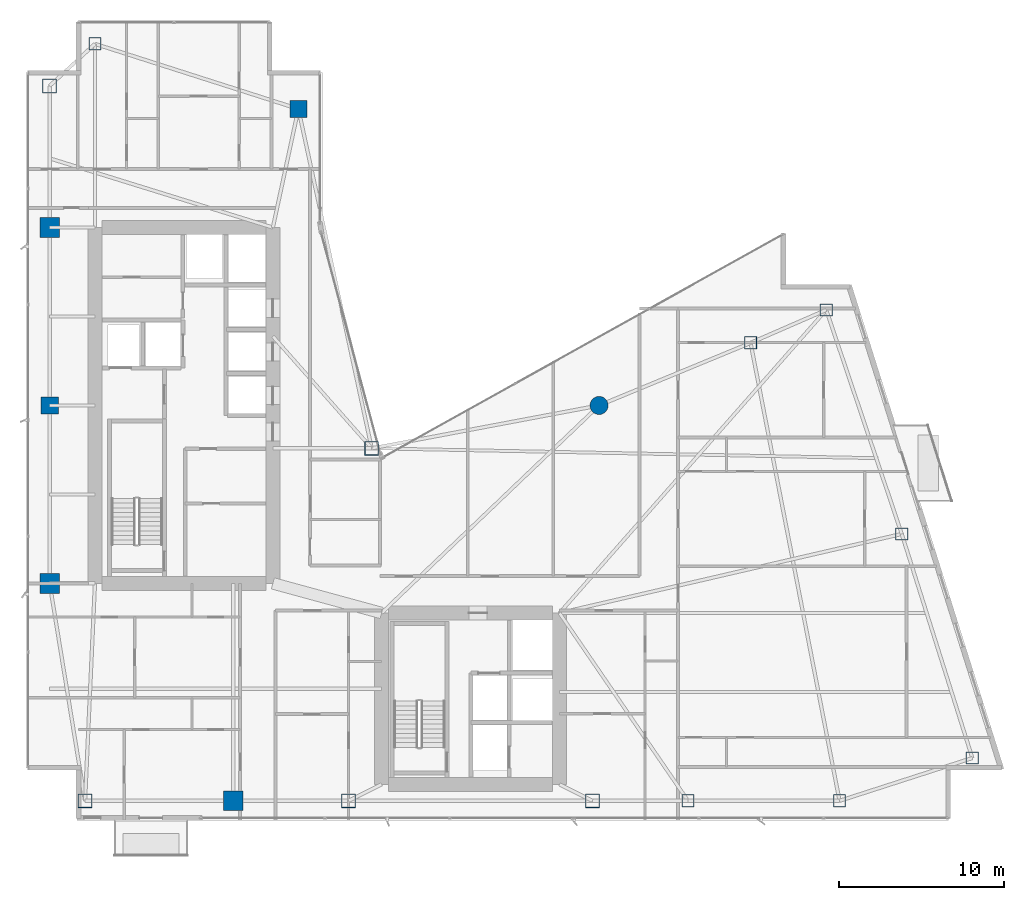
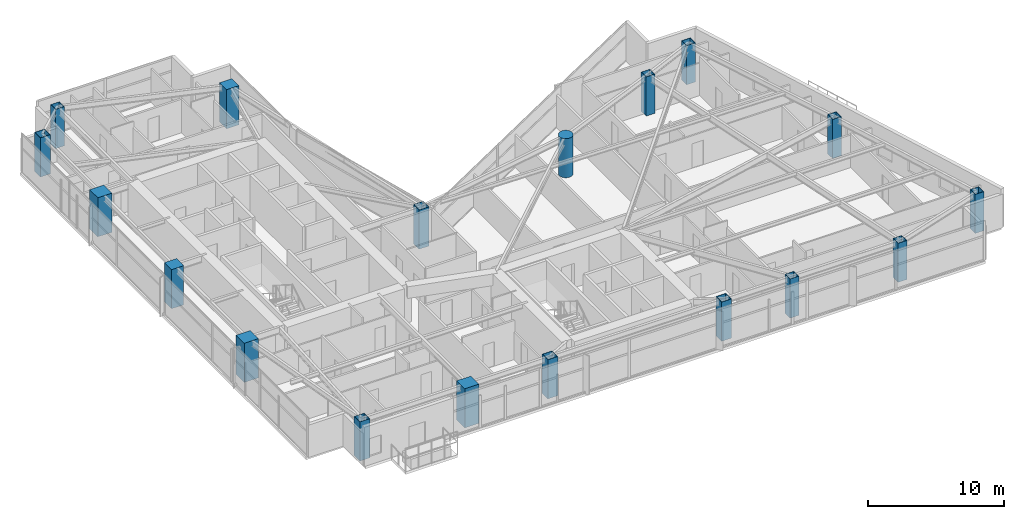
# One storey, part 1 of 28: 18 columns.
"""IFC4 building model written with IfcOpenShell, lengths in metres."""

import ifcopenshell
import ifcopenshell.guid

model = None  # the IFC model being written
_history = None  # IfcOwnerHistory: only IFC2X3 demands one
_inside = {}  # id of a spatial element -> (the spatial element, [elements in it])
_under = {}  # id of a project, library or spatial element -> (it, [spatial elements below it])
_declared = {}  # id of a project -> (the project, [libraries it declares])
_typed = {}  # id of a type object -> (the type object, [elements of that type])
_made_of = {}  # id of a material, layer set ... -> (it, [elements and type objects made of it])


def new_model(schema):
    """Start an empty IFC model of exactly this schema.

    Asked for "IFC4X3", IfcOpenShell would pick the latest addendum, in which some entities
    have other attributes; the version numbers below select the first issue.
    IFC2X3 requires an IfcOwnerHistory on every rooted entity: one is made here for all.
    """
    global model, _history
    if schema == "IFC4X3":
        model = ifcopenshell.file(schema_version=(4, 3, 0, 0))
    else:
        model = ifcopenshell.file(schema=schema)
    _inside.clear()
    _under.clear()
    _declared.clear()
    _typed.clear()
    _made_of.clear()
    _history = None
    if model.schema == "IFC2X3":
        org = make("IfcOrganization", Name="unknown")
        user = make(
            "IfcPersonAndOrganization",
            ThePerson=make("IfcPerson", FamilyName="unknown"),
            TheOrganization=org,
        )
        app = make(
            "IfcApplication",
            ApplicationDeveloper=org,
            Version="unknown",
            ApplicationFullName="unknown",
            ApplicationIdentifier="unknown",
        )
        _history = make(
            "IfcOwnerHistory",
            OwningUser=user,
            OwningApplication=app,
            ChangeAction="ADDED",
            CreationDate=0,
        )
    return model


def make(cls, **values):
    """One entity of the class cls with the attributes given. An attribute that is None is left unset."""
    return model.create_entity(
        cls, **{name: value for name, value in values.items() if value is not None}
    )


def rooted(cls, **values):
    """An entity with a GlobalId (a new one), such as an element, a storey or a relation."""
    return make(cls, GlobalId=ifcopenshell.guid.new(), OwnerHistory=_history, **values)


def si_unit(unit_type, name, prefix=None):
    """IfcSIUnit, for example si_unit("LENGTHUNIT", "METRE", prefix="MILLI")."""
    return make("IfcSIUnit", UnitType=unit_type, Prefix=prefix, Name=name)


def assignment(units):
    """IfcUnitAssignment: the units of a project."""
    return None if units is None else make("IfcUnitAssignment", Units=units)


def point(xyz):
    """IfcCartesianPoint."""
    return None if xyz is None else make("IfcCartesianPoint", Coordinates=xyz)


def direction(xyz):
    """IfcDirection."""
    return None if xyz is None else make("IfcDirection", DirectionRatios=xyz)


def frame(location, z_axis=None, x_axis=None):
    """IfcAxis2Placement3D, a coordinate frame: its origin and axes. An axis left out is left unset."""
    return make(
        "IfcAxis2Placement3D",
        Location=point(location),
        Axis=direction(z_axis),
        RefDirection=direction(x_axis),
    )


def frame_2d(location, x_axis=None):
    """IfcAxis2Placement2D, a coordinate frame in the plane: its origin and x axis."""
    return make(
        "IfcAxis2Placement2D", Location=point(location), RefDirection=direction(x_axis)
    )


def origin():
    """The frame at (0, 0, 0) with its axes left unset."""
    return frame((0.0, 0.0, 0.0))


def origin_2d():
    """The frame at (0, 0) in the plane with its x axis left unset."""
    return frame_2d((0.0, 0.0))


def place(relative_to, where):
    """IfcLocalPlacement: puts the frame where relative to a parent placement (None: the world)."""
    return make(
        "IfcLocalPlacement", PlacementRelTo=relative_to, RelativePlacement=where
    )


def context(
    kind, dimensions, precision=None, world=None, true_north=None, identifier=None
):
    """IfcGeometricRepresentationContext, for example the 3D "Model" context."""
    return make(
        "IfcGeometricRepresentationContext",
        ContextIdentifier=identifier,
        ContextType=kind,
        CoordinateSpaceDimension=dimensions,
        Precision=precision,
        WorldCoordinateSystem=world,
        TrueNorth=true_north,
    )


def subcontext(parent, identifier, kind, view, scale=None):
    """IfcGeometricRepresentationSubContext, for example "Body" below "Model"."""
    return make(
        "IfcGeometricRepresentationSubContext",
        ContextIdentifier=identifier,
        ContextType=kind,
        ParentContext=parent,
        TargetScale=scale,
        TargetView=view,
    )


def project(units=None, contexts=None):
    """IfcProject with its units and contexts."""
    return rooted(
        "IfcProject",
        Name="project",
        RepresentationContexts=contexts,
        UnitsInContext=assignment(units),
    )


def spatial(cls, under=None, at=None, **own):
    """A site, building, storey or space (cls), placed at a placement, below another one or the project."""
    s = rooted(cls, ObjectPlacement=at, **own)
    if under is not None:
        _under.setdefault(under.id(), (under, []))[1].append(s)
    return s


def profile(cls, at=None, kind="AREA", **sizes):
    """A parametric profile (cls). Its sizes go by their IFC names, for example OverallWidth=200.0."""
    return make(cls, ProfileType=kind, Position=at, **sizes)


def rectangle(**sizes):
    """IfcRectangleProfileDef."""
    return profile("IfcRectangleProfileDef", **sizes)


def hollow_rectangle(**sizes):
    """IfcRectangleHollowProfileDef."""
    return profile("IfcRectangleHollowProfileDef", **sizes)


def circle(**sizes):
    """IfcCircleProfileDef."""
    return profile("IfcCircleProfileDef", **sizes)


def extrude(swept, where, along, depth):
    """IfcExtrudedAreaSolid: the profile swept, set in the frame where, extruded along a direction by depth."""
    return make(
        "IfcExtrudedAreaSolid",
        SweptArea=swept,
        Position=where,
        ExtrudedDirection=direction(along),
        Depth=depth,
    )


def shape(context_of_items, identifier, shape_type, items):
    """IfcShapeRepresentation: the items that make up one representation, for example the "Body"."""
    return make(
        "IfcShapeRepresentation",
        ContextOfItems=context_of_items,
        RepresentationIdentifier=identifier,
        RepresentationType=shape_type,
        Items=items,
    )


def material(Name=None, Category=None):
    """IfcMaterial."""
    return make("IfcMaterial", Name=Name, Category=Category)


def material_profile(
    of_material, cross_section, Name=None, Category=None, Priority=None
):
    """IfcMaterialProfile: a cross section and its material."""
    return make(
        "IfcMaterialProfile",
        Name=Name,
        Material=of_material,
        Profile=cross_section,
        Priority=Priority,
        Category=Category,
    )


def profile_set(profiles, Name=None, composite=None):
    """IfcMaterialProfileSet."""
    return make(
        "IfcMaterialProfileSet",
        Name=Name,
        MaterialProfiles=profiles,
        CompositeProfile=composite,
    )


def made_of(thing, what):
    """Note that an element or type object is made of a material, layer set ...; save() writes the relation."""
    if what is not None:
        _made_of.setdefault(what.id(), (what, []))[1].append(thing)
    return thing


def type_object(cls, material=None, **own):
    """A type object (cls), such as IfcWallType, which elements share."""
    return made_of(rooted(cls, **own), material)


def element(
    cls,
    number,
    at=None,
    inside=None,
    cuts=None,
    type_object=None,
    material=None,
    context=None,
    identifier="Body",
    shape_type=None,
    held_by="IfcProductDefinitionShape",
    body=None,
    shapes=None,
    **own,
):
    """One element of the class cls, such as IfcWall. Its Tag is "e" and its number.

    at: its placement. inside: the storey or other place that contains it. cuts: it is an
    opening in that element (IfcRelVoidsElement). A single representation is given by context,
    identifier, shape_type and body (its items); several are given by shapes. held_by: the class
    of the entity that holds the representations. save() writes the other relations.
    """
    e = rooted(cls, Tag="e%d" % number, ObjectPlacement=at, **own)
    if body is not None:
        shapes = [shape(context, identifier, shape_type, body)]
    if shapes is not None:
        e.Representation = make(held_by, Representations=shapes)
    if inside is not None:
        _inside.setdefault(inside.id(), (inside, []))[1].append(e)
    if cuts is not None:
        rooted(
            "IfcRelVoidsElement", RelatingBuildingElement=cuts, RelatedOpeningElement=e
        )
    if type_object is not None:
        _typed.setdefault(type_object.id(), (type_object, []))[1].append(e)
    return made_of(e, material)


def aggregate(whole, parts):
    """IfcRelAggregates: a whole, such as a stair, and the parts it consists of."""
    return rooted("IfcRelAggregates", RelatingObject=whole, RelatedObjects=parts)


def save(model, path):
    """Write the relations noted so far, then the file.

    IfcRelAggregates (storeys below a building ...), IfcRelContainedInSpatialStructure (elements
    in a storey), IfcRelDefinesByType, IfcRelAssociatesMaterial and IfcRelDeclares: one each for
    every whole, place, type object, material and project.
    """
    for whole, parts in _under.values():
        aggregate(whole, parts)
    for where, things in _inside.values():
        rooted(
            "IfcRelContainedInSpatialStructure",
            RelatedElements=things,
            RelatingStructure=where,
        )
    for kind, things in _typed.values():
        rooted("IfcRelDefinesByType", RelatedObjects=things, RelatingType=kind)
    for what, things in _made_of.values():
        rooted("IfcRelAssociatesMaterial", RelatedObjects=things, RelatingMaterial=what)
    for by, libraries in _declared.values():
        rooted("IfcRelDeclares", RelatingContext=by, RelatedDefinitions=libraries)
    model.write(path)


model = new_model("IFC4")

# Units and contexts
model_context = context("Model", 3, precision=1e-05, world=origin(), true_north=direction((0.0, 1.0)))
body_context = subcontext(model_context, "Body", "Model", "MODEL_VIEW")
ifc_project = project(units=[si_unit("LENGTHUNIT", "METRE"), si_unit("AREAUNIT", "SQUARE_METRE"), si_unit("VOLUMEUNIT", "CUBIC_METRE"), si_unit("PLANEANGLEUNIT", "RADIAN"), si_unit("MASSUNIT", "GRAM", prefix="KILO")], contexts=[model_context])

# Site, building, storey
site_placement = place(None, origin())
site = spatial("IfcSite", under=ifc_project, at=site_placement, CompositionType="ELEMENT")
building_placement = place(site_placement, origin())
building = spatial("IfcBuilding", under=site, at=building_placement, Name="Calvorn Quay Hotel", CompositionType="ELEMENT")
storey_placement = place(building_placement, frame((0.0, 0.0, 182.699951171875)))
storey = spatial("IfcBuildingStorey", under=building, at=storey_placement, Name="L45", CompositionType="ELEMENT", Elevation=182.699951171875)

# Columns
ifc_material_1 = material(Name="Concrete C50", Category="concrete")
ifc_material_profile_1 = material_profile(ifc_material_1, rectangle(XDim=1.050048828125, YDim=1.050048828125, at=origin_2d()), Name="RC1050x1050")
ifc_profile_set_1 = profile_set([ifc_material_profile_1], Name="Concrete C50")
column_type_1 = type_object("IfcColumnType", Name="COL-RC-1050", PredefinedType="COLUMN", material=ifc_profile_set_1)
for number, where, z_axis, x_axis, name in (
    (1, (1.449951171875, 27.60009765625, 0.0), (0.0, 0.0, 1.0), (1.0, 0.0, 0.0), "Column C-W3 (L45)"),
    (2, (16.550048828125, 45.60009765625, 0.0), (0.0, 0.0, 1.0), (1.0, 0.0, 0.0), "Column C-IC1 (L45)"),
):
    element("IfcColumn", number, at=place(storey_placement, frame(where, z_axis=z_axis, x_axis=x_axis)), inside=storey, type_object=column_type_1, Name=name, PredefinedType="COLUMN", context=body_context, shape_type="SweptSolid", body=[
        extrude(rectangle(XDim=1.050048828125, YDim=1.050048828125, at=origin_2d()), origin(), (0.0, 0.0, 1.0), 3.52001953125),
    ])
ifc_material_2 = material(Name="Concrete C50", Category="concrete")
ifc_material_profile_2 = material_profile(ifc_material_2, rectangle(XDim=1.199951171875, YDim=1.199951171875, at=origin_2d()), Name="RC1200x1200")
ifc_profile_set_2 = profile_set([ifc_material_profile_2], Name="Concrete C50")
column_type_2 = type_object("IfcColumnType", Name="COL-RC-1200", PredefinedType="COLUMN", material=ifc_profile_set_2)
for number, where, z_axis, x_axis, name in (
    (3, (1.449951171875, 16.800048828125, 0.0), (0.0, 0.0, 1.0), (1.0, 0.0, 0.0), "Column C-W2 (L45)"),
    (4, (1.449951171875, 38.39990234375, 0.0), (0.0, 0.0, 1.0), (1.0, 0.0, 0.0), "Column C-W4 (L45)"),
    (5, (12.60009765625, 3.60009765625, 0.0), (0.0, 0.0, 1.0), (1.0, 0.0, 0.0), "Column C-S1 (L45)"),
):
    element("IfcColumn", number, at=place(storey_placement, frame(where, z_axis=z_axis, x_axis=x_axis)), inside=storey, type_object=column_type_2, Name=name, PredefinedType="COLUMN", context=body_context, shape_type="SweptSolid", body=[
        extrude(rectangle(XDim=1.199951171875, YDim=1.199951171875, at=origin_2d()), origin(), (0.0, 0.0, 1.0), 3.52001953125),
    ])
ifc_material_3 = material(Name="Concrete C50", Category="concrete")
ifc_material_profile_3 = material_profile(ifc_material_3, circle(Radius=0.550048828125, at=origin_2d()), Name="RCD1100")
ifc_profile_set_3 = profile_set([ifc_material_profile_3], Name="Concrete C50")
column_type_3 = type_object("IfcColumnType", Name="COL-RC-D1100", PredefinedType="COLUMN", material=ifc_profile_set_3)
column_placement = place(storey_placement, frame((34.800048828125, 27.60009765625, 0.0), z_axis=(0.0, 0.0, 1.0), x_axis=(1.0, 0.0, 0.0)))
element("IfcColumn", 6, at=column_placement, inside=storey, type_object=column_type_3, Name="Column C-NC1 (L45)", PredefinedType="COLUMN", context=body_context, shape_type="SweptSolid", body=[
    extrude(circle(Radius=0.550048828125, at=origin_2d()), origin(), (0.0, 0.0, 1.0), 3.52001953125),
])
ifc_material_4 = material(Name="Steel Q390GJC", Category="steel")
ifc_material_profile_4 = material_profile(ifc_material_4, hollow_rectangle(XDim=0.85009765625, YDim=0.85009765625, WallThickness=0.035888671875, at=origin_2d()), Name="BOX850x850x36")
ifc_profile_set_4 = profile_set([ifc_material_profile_4], Name="Steel Q390GJC")
column_type_4 = type_object("IfcColumnType", Name="COL-STL-Z2", PredefinedType="COLUMN", material=ifc_profile_set_4)
for number, where, z_axis, x_axis, name in (
    (7, (3.60009765625, 3.60009765625, 0.0), (0.0, 0.0, 1.0), (1.0, 0.0, 0.0), "Column C-W1 (L45)"),
    (8, (1.449951171875, 47.0, 0.0), (0.0, 0.0, 1.0), (1.0, 0.0, 0.0), "Column C-W5 (L45)"),
    (9, (21.0, 25.0, 0.0), (0.0, 0.0, 1.0), (1.0, 0.0, 0.0), "Column C-IC2 (L45)"),
    (10, (19.60009765625, 3.60009765625, 0.0), (0.0, 0.0, 1.0), (1.0, 0.0, 0.0), "Column C-S2 (L45)"),
    (11, (34.39990234375, 3.60009765625, 0.0), (0.0, 0.0, 1.0), (1.0, 0.0, 0.0), "Column C-S3 (L45)"),
):
    element("IfcColumn", number, at=place(storey_placement, frame(where, z_axis=z_axis, x_axis=x_axis)), inside=storey, type_object=column_type_4, Name=name, PredefinedType="COLUMN", context=body_context, shape_type="SweptSolid", body=[
        extrude(hollow_rectangle(XDim=0.85009765625, YDim=0.85009765625, WallThickness=0.035888671875, at=origin_2d()), origin(), (0.0, 0.0, 1.0), 3.52001953125),
    ])
ifc_material_5 = material(Name="Steel Q390GJC", Category="steel")
ifc_material_profile_5 = material_profile(ifc_material_5, hollow_rectangle(XDim=0.75, YDim=0.75, WallThickness=0.031982421875, at=origin_2d()), Name="BOX750x750x32")
ifc_profile_set_5 = profile_set([ifc_material_profile_5], Name="Steel Q390GJC")
column_type_5 = type_object("IfcColumnType", Name="COL-STL-Z3", PredefinedType="COLUMN", material=ifc_profile_set_5)
for number, where, z_axis, x_axis, name in (
    (12, (4.199951171875, 49.550048828125, 0.0), (0.0, 0.0, 1.0), (1.0, 0.0, 0.0), "Column C-NW1 (L45)"),
    (13, (40.199951171875, 3.60009765625, 0.0), (0.0, 0.0, 1.0), (1.0, 0.0, 0.0), "Column C-S4 (L45)"),
    (14, (49.39990234375, 3.60009765625, 0.0), (0.0, 0.0, 1.0), (1.0, 0.0, 0.0), "Column C-S5 (L45)"),
    (15, (44.0, 31.39990234375, 0.0), (0.0, 0.0, 1.0), (1.0, 0.0, 0.0), "Column C-NC2 (L45)"),
    (16, (57.4609375, 6.199951171875, 0.0), (0.0, 0.0, 1.0), (1.0, 0.0, 0.0), "Column C-ET1 (L45)"),
    (17, (53.176025390625, 19.800048828125, 0.0), (0.0, 0.0, 1.0), (1.0, 0.0, 0.0), "Column C-ET2 (L45)"),
    (18, (48.591064453125, 33.39990234375, 0.0), (0.0, 0.0, 1.0), (1.0, 0.0, 0.0), "Column C-ET3 (L45)"),
):
    element("IfcColumn", number, at=place(storey_placement, frame(where, z_axis=z_axis, x_axis=x_axis)), inside=storey, type_object=column_type_5, Name=name, PredefinedType="COLUMN", context=body_context, shape_type="SweptSolid", body=[
        extrude(hollow_rectangle(XDim=0.75, YDim=0.75, WallThickness=0.031982421875, at=origin_2d()), origin(), (0.0, 0.0, 1.0), 3.52001953125),
    ])

save(model, "model.ifc")
